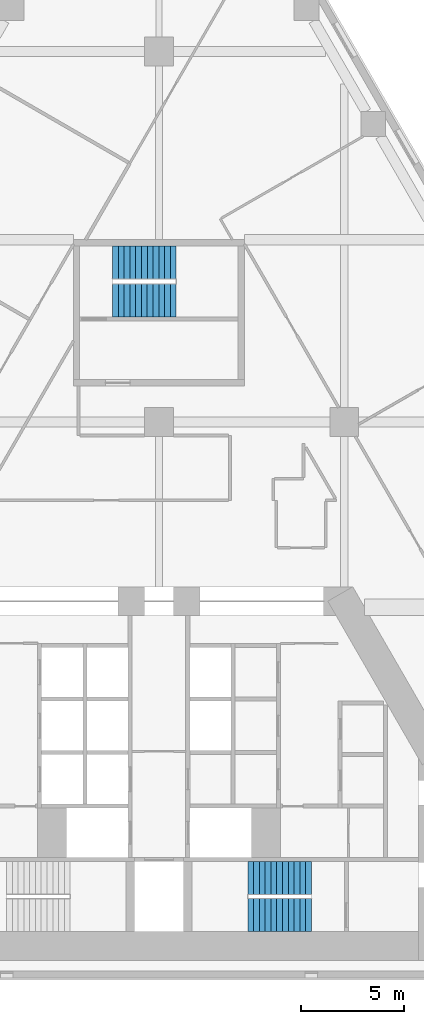
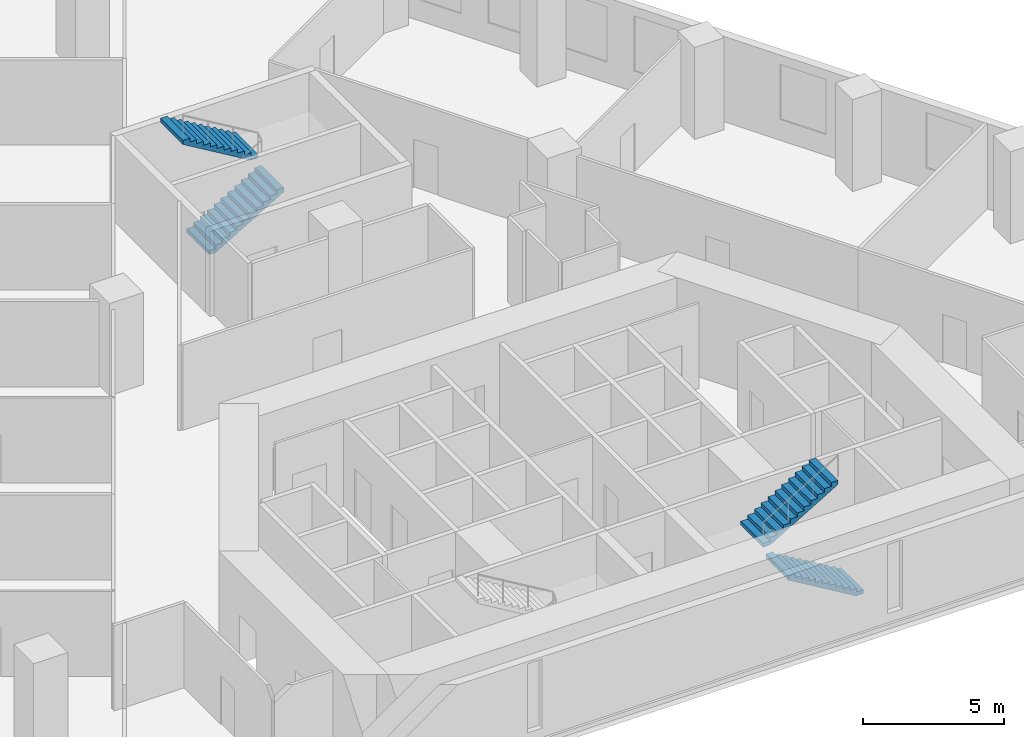
# One storey, part 8 of 9: 4 stair flights, 2 elements without a shape of their own.
"""IFC4 building model written with IfcOpenShell, lengths in metres."""

from ifc_helpers import new_model, si_unit, direction, frame, origin, place, context, subcontext, project, spatial, polyline, outline, extrude, material, type_object, element, aggregate, save


model = new_model("IFC4")

# Units and contexts
model_context = context("Model", 3, precision=1e-05, world=origin(), true_north=direction((0.0, 1.0)))
body_context = subcontext(model_context, "Body", "Model", "MODEL_VIEW")
ifc_project = project(units=[si_unit("LENGTHUNIT", "METRE"), si_unit("AREAUNIT", "SQUARE_METRE"), si_unit("VOLUMEUNIT", "CUBIC_METRE"), si_unit("PLANEANGLEUNIT", "RADIAN"), si_unit("MASSUNIT", "GRAM", prefix="KILO")], contexts=[model_context])

# Site, building, storey
site_placement = place(None, origin())
site = spatial("IfcSite", under=ifc_project, at=site_placement, CompositionType="ELEMENT")
building_placement = place(site_placement, origin())
building = spatial("IfcBuilding", under=site, at=building_placement, Name="Fogline Exchange Tower", CompositionType="ELEMENT")
storey_placement = place(building_placement, frame((0.0, 0.0, 80.89990234375)))
storey = spatial("IfcBuildingStorey", under=building, at=storey_placement, Name="L17", CompositionType="ELEMENT", Elevation=80.89990234375)

# Stair, stair flights
ifc_material = material(Name="Concrete C40", Category="concrete")
stair_type = type_object("IfcStairType", Name="STR24-1667", PredefinedType="HALF_TURN_STAIR", material=ifc_material)
stair_1_placement = place(storey_placement, origin())
stair_1 = element("IfcStair", 1, at=stair_1_placement, inside=storey, type_object=stair_type, Name="Stair ST2", PredefinedType="HALF_TURN_STAIR")
stair_flight_type = type_object("IfcStairFlightType", Name="SF12-1667", PredefinedType="STRAIGHT", material=ifc_material)
stair_flight_1_placement = place(storey_placement, frame((7.39990234375, 3.050048828125, 0.0), z_axis=(0.0, 0.0, 1.0), x_axis=(-1.0, 0.0, 0.0)))
stair_flight_1 = element("IfcStairFlight", 2, at=stair_flight_1_placement, type_object=stair_flight_type, Name="ST2 flight 1", NumberOfRisers=12, NumberOfTreads=11, PredefinedType="STRAIGHT", RiserHeight=0.166666667, TreadLength=0.28, context=body_context, shape_type="SweptSolid", body=[
    extrude(outline(polyline([(0.0, 0.0), (0.0, 0.166748046875), (0.280029296875, 0.166748046875), (0.280029296875, 0.333251953125), (0.56005859375, 0.333251953125), (0.56005859375, 0.5), (0.840087890625, 0.5), (0.840087890625, 0.666748046875), (1.1201171875, 0.666748046875), (1.1201171875, 0.833251953125), (1.39990234375, 0.833251953125), (1.39990234375, 1.0), (1.679931640625, 1.0), (1.679931640625, 1.166748046875), (1.9599609375, 1.166748046875), (1.9599609375, 1.333251953125), (2.239990234375, 1.333251953125), (2.239990234375, 1.5), (2.52001953125, 1.5), (2.52001953125, 1.666748046875), (2.800048828125, 1.666748046875), (2.800048828125, 1.833251953125), (3.080078125, 1.833251953125), (3.080078125, 2.0), (3.080078125, 1.658935546875), (0.29296875, 0.0), (0.0, 0.0)])), frame((0.0, 0.800048828125, 0.0), z_axis=(0.0, -1.0, 0.0), x_axis=(1.0, 0.0, 0.0)), (0.0, 0.0, 1.0), 1.60009765625),
])
stair_flight_2_placement = place(storey_placement, frame((4.320068359375, 4.85009765625, 2.0), z_axis=(0.0, 0.0, 1.0), x_axis=(1.0, 0.0, 0.0)))
stair_flight_2 = element("IfcStairFlight", 3, at=stair_flight_2_placement, type_object=stair_flight_type, Name="ST2 flight 2", NumberOfRisers=12, NumberOfTreads=11, PredefinedType="STRAIGHT", RiserHeight=0.166666667, TreadLength=0.28, context=body_context, shape_type="SweptSolid", body=[
    extrude(outline(polyline([(0.0, 0.0), (0.0, 0.166748046875), (0.280029296875, 0.166748046875), (0.280029296875, 0.333251953125), (0.56005859375, 0.333251953125), (0.56005859375, 0.5), (0.840087890625, 0.5), (0.840087890625, 0.666748046875), (1.1201171875, 0.666748046875), (1.1201171875, 0.833251953125), (1.39990234375, 0.833251953125), (1.39990234375, 1.0), (1.679931640625, 1.0), (1.679931640625, 1.166748046875), (1.9599609375, 1.166748046875), (1.9599609375, 1.333251953125), (2.239990234375, 1.333251953125), (2.239990234375, 1.5), (2.52001953125, 1.5), (2.52001953125, 1.666748046875), (2.800048828125, 1.666748046875), (2.800048828125, 1.833251953125), (3.080078125, 1.833251953125), (3.080078125, 2.0), (3.080078125, 1.658935546875), (0.29296875, 0.0), (0.0, 0.0)])), frame((0.0, 0.800048828125, 0.0), z_axis=(0.0, -1.0, 0.0), x_axis=(1.0, 0.0, 0.0)), (0.0, 0.0, 1.0), 1.60009765625),
])
aggregate(stair_1, [stair_flight_1, stair_flight_2])

stair_2_placement = place(storey_placement, origin())
stair_2 = element("IfcStair", 4, at=stair_2_placement, inside=storey, type_object=stair_type, Name="Stair ST3", PredefinedType="HALF_TURN_STAIR")
stair_flight_3_placement = place(storey_placement, frame((-2.25, 32.906982421875, 0.0), z_axis=(0.0, 0.0, 1.0), x_axis=(1.0, 0.0, 0.0)))
stair_flight_3 = element("IfcStairFlight", 5, at=stair_flight_3_placement, type_object=stair_flight_type, Name="ST3 flight 1", NumberOfRisers=12, NumberOfTreads=11, PredefinedType="STRAIGHT", RiserHeight=0.166666667, TreadLength=0.28, context=body_context, shape_type="SweptSolid", body=[
    extrude(outline(polyline([(0.0, 0.0), (0.0, 0.166748046875), (0.280029296875, 0.166748046875), (0.280029296875, 0.333251953125), (0.56005859375, 0.333251953125), (0.56005859375, 0.5), (0.840087890625, 0.5), (0.840087890625, 0.666748046875), (1.1201171875, 0.666748046875), (1.1201171875, 0.833251953125), (1.39990234375, 0.833251953125), (1.39990234375, 1.0), (1.679931640625, 1.0), (1.679931640625, 1.166748046875), (1.9599609375, 1.166748046875), (1.9599609375, 1.333251953125), (2.239990234375, 1.333251953125), (2.239990234375, 1.5), (2.52001953125, 1.5), (2.52001953125, 1.666748046875), (2.800048828125, 1.666748046875), (2.800048828125, 1.833251953125), (3.080078125, 1.833251953125), (3.080078125, 2.0), (3.080078125, 1.658935546875), (0.29296875, 0.0), (0.0, 0.0)])), frame((0.0, 0.800048828125, 0.0), z_axis=(0.0, -1.0, 0.0), x_axis=(1.0, 0.0, 0.0)), (0.0, 0.0, 1.0), 1.60009765625),
])
stair_flight_4_placement = place(storey_placement, frame((0.830078125, 34.757080078125, 2.0), z_axis=(0.0, 0.0, 1.0), x_axis=(-1.0, 0.0, 0.0)))
stair_flight_4 = element("IfcStairFlight", 6, at=stair_flight_4_placement, type_object=stair_flight_type, Name="ST3 flight 2", NumberOfRisers=12, NumberOfTreads=11, PredefinedType="STRAIGHT", RiserHeight=0.166666667, TreadLength=0.28, context=body_context, shape_type="SweptSolid", body=[
    extrude(outline(polyline([(0.0, 0.0), (0.0, 0.166748046875), (0.280029296875, 0.166748046875), (0.280029296875, 0.333251953125), (0.56005859375, 0.333251953125), (0.56005859375, 0.5), (0.840087890625, 0.5), (0.840087890625, 0.666748046875), (1.1201171875, 0.666748046875), (1.1201171875, 0.833251953125), (1.39990234375, 0.833251953125), (1.39990234375, 1.0), (1.679931640625, 1.0), (1.679931640625, 1.166748046875), (1.9599609375, 1.166748046875), (1.9599609375, 1.333251953125), (2.239990234375, 1.333251953125), (2.239990234375, 1.5), (2.52001953125, 1.5), (2.52001953125, 1.666748046875), (2.800048828125, 1.666748046875), (2.800048828125, 1.833251953125), (3.080078125, 1.833251953125), (3.080078125, 2.0), (3.080078125, 1.658935546875), (0.29296875, 0.0), (0.0, 0.0)])), frame((0.0, 0.800048828125, 0.0), z_axis=(0.0, -1.0, 0.0), x_axis=(1.0, 0.0, 0.0)), (0.0, 0.0, 1.0), 1.60009765625),
])
aggregate(stair_2, [stair_flight_3, stair_flight_4])

save(model, "model.ifc")
